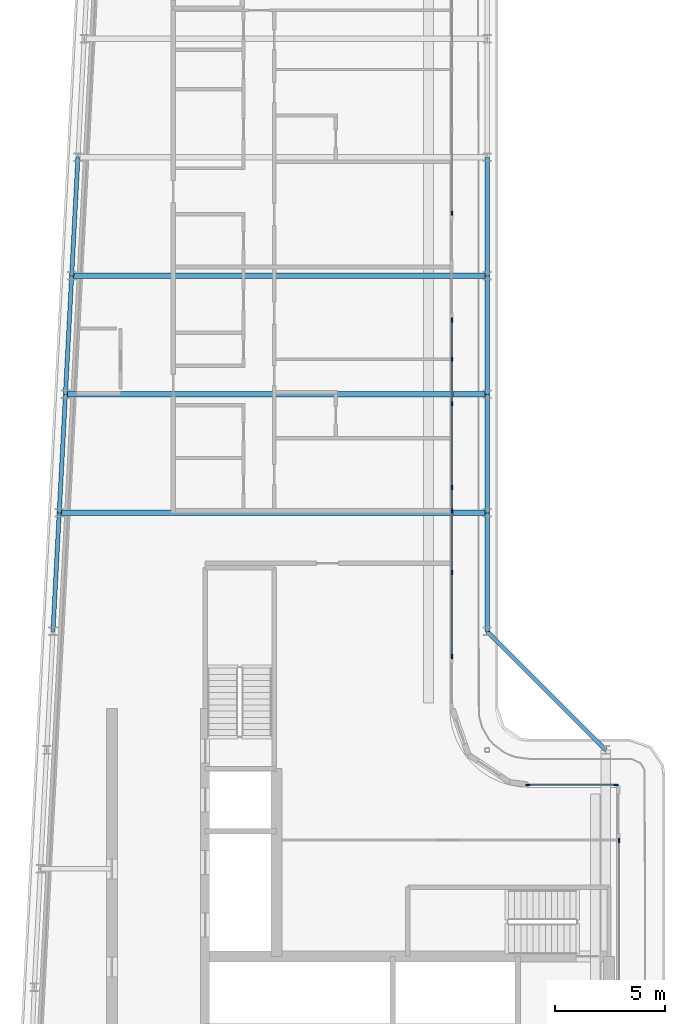
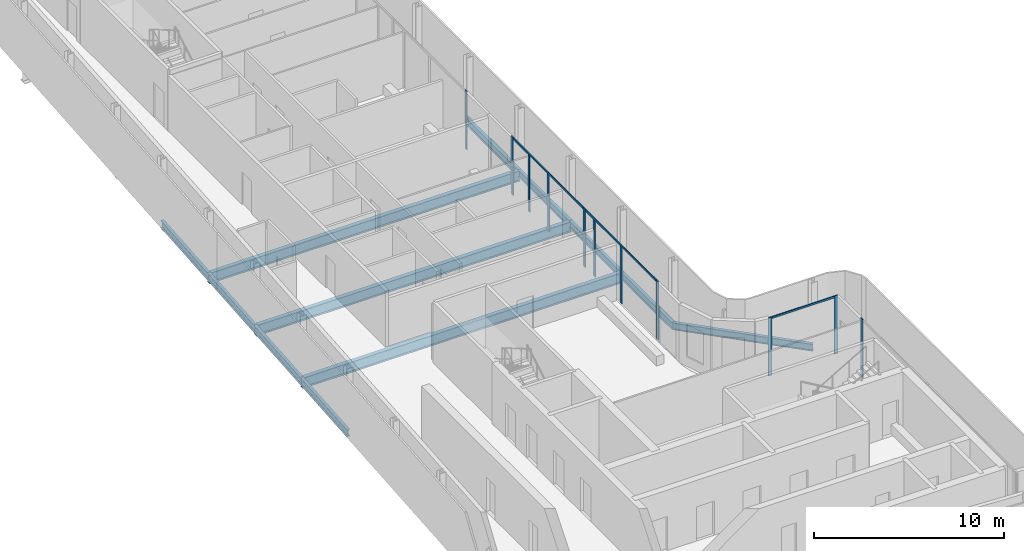
# One storey, part 5 of 18: 14 members, 12 beams, 5 elements without a shape of their own.
"""IFC4 building model written with IfcOpenShell, lengths in metres."""

from ifc_helpers import new_model, si_unit, direction, frame, origin, origin_2d, place, context, subcontext, project, spatial, rectangle, i_section, extrude, material, layer, layer_set, material_profile, profile_set, type_object, element, aggregate, save


model = new_model("IFC4")

# Units and contexts
model_context = context("Model", 3, precision=1e-05, world=origin(), true_north=direction((0.0, 1.0)))
body_context = subcontext(model_context, "Body", "Model", "MODEL_VIEW")
ifc_project = project(units=[si_unit("LENGTHUNIT", "METRE"), si_unit("AREAUNIT", "SQUARE_METRE"), si_unit("VOLUMEUNIT", "CUBIC_METRE"), si_unit("PLANEANGLEUNIT", "RADIAN"), si_unit("MASSUNIT", "GRAM", prefix="KILO")], contexts=[model_context])

# Site, building, storey
site_placement = place(None, origin())
site = spatial("IfcSite", under=ifc_project, at=site_placement, CompositionType="ELEMENT")
building_placement = place(site_placement, origin())
building = spatial("IfcBuilding", under=site, at=building_placement, Name="Kheshtan School and Residences Tower", CompositionType="ELEMENT")
storey_placement = place(building_placement, frame((0.0, 0.0, 369.5)))
storey = spatial("IfcBuildingStorey", under=building, at=storey_placement, Name="L87", CompositionType="ELEMENT", Elevation=369.5)

# Beams
ifc_material_1 = material(Name="Steel ASTM A992 Grade 50", Category="steel")
ifc_material_profile_1 = material_profile(ifc_material_1, i_section(OverallWidth=0.2529296875, OverallDepth=0.677978515625, WebThickness=0.01171875, FlangeThickness=0.016357421875, FilletRadius=0.0146484375, at=origin_2d()), Name="W690x125")
ifc_profile_set_1 = profile_set([ifc_material_profile_1], Name="Steel ASTM A992 Grade 50")
beam_type_1 = type_object("IfcBeamType", Name="Beam FB6 W690x125 ASTM A992 Grade 50", PredefinedType="BEAM", material=ifc_profile_set_1)
beam_1_placement = place(storey_placement, frame((47.60009765625, 67.199951171875, -0.489013671875), z_axis=(-1.0, 0.0, 0.0), x_axis=(0.0, -1.0, 0.0)))
element("IfcBeam", 1, at=beam_1_placement, inside=storey, type_object=beam_type_1, Name="Floor beam C085", PredefinedType="BEAM", context=body_context, shape_type="SweptSolid", body=[
    extrude(i_section(OverallWidth=0.2529296875, OverallDepth=0.677978515625, WebThickness=0.01171875, FlangeThickness=0.016357421875, FilletRadius=0.0146484375, at=origin_2d()), origin(), (0.0, 0.0, 1.0), 18.926025390625),
])
beam_2_placement = place(storey_placement, frame((47.60009765625, 56.39990234375, -0.489013671875), z_axis=(-1.0, 0.0, 0.0), x_axis=(0.0, -1.0, 0.0)))
element("IfcBeam", 2, at=beam_2_placement, inside=storey, type_object=beam_type_1, Name="Floor beam C081", PredefinedType="BEAM", context=body_context, shape_type="SweptSolid", body=[
    extrude(i_section(OverallWidth=0.2529296875, OverallDepth=0.677978515625, WebThickness=0.01171875, FlangeThickness=0.016357421875, FilletRadius=0.0146484375, at=origin_2d()), origin(), (0.0, 0.0, 1.0), 19.494140625),
])
beam_3_placement = place(storey_placement, frame((28.389892578125, 61.800048828125, -0.489013671875), z_axis=(1.0, 0.0, 0.0), x_axis=(0.0, 1.0, 0.0)))
element("IfcBeam", 3, at=beam_3_placement, inside=storey, type_object=beam_type_1, Name="Floor beam C082", PredefinedType="BEAM", context=body_context, shape_type="SweptSolid", body=[
    extrude(i_section(OverallWidth=0.2529296875, OverallDepth=0.677978515625, WebThickness=0.01171875, FlangeThickness=0.016357421875, FilletRadius=0.0146484375, at=origin_2d()), origin(), (0.0, 0.0, 1.0), 19.210205078125),
])
ifc_material_profile_2 = material_profile(ifc_material_1, i_section(OverallWidth=0.18994140625, OverallDepth=0.45703125, WebThickness=0.009033203125, FlangeThickness=0.014404296875, FilletRadius=0.01318359375, at=origin_2d()), Name="W460x74")
ifc_profile_set_2 = profile_set([ifc_material_profile_2], Name="Steel ASTM A992 Grade 50")
beam_type_2 = type_object("IfcBeamType", Name="Beam SP4 W460x74 ASTM A992 Grade 50", PredefinedType="BEAM", material=ifc_profile_set_2)
beam_4_placement = place(storey_placement, frame((47.60009765625, 72.60009765625, -0.37841796875), z_axis=(0.0, -1.0, 0.0), x_axis=(1.0, 0.0, 0.0)))
element("IfcBeam", 4, at=beam_4_placement, inside=storey, type_object=beam_type_2, Name="Spandrel beam C087-C085", PredefinedType="BEAM", context=body_context, shape_type="SweptSolid", body=[
    extrude(i_section(OverallWidth=0.18994140625, OverallDepth=0.45703125, WebThickness=0.009033203125, FlangeThickness=0.014404296875, FilletRadius=0.01318359375, at=origin_2d()), origin(), (0.0, 0.0, 1.0), 5.400146484375),
])
beam_5_placement = place(storey_placement, frame((47.60009765625, 67.199951171875, -0.37841796875), z_axis=(0.0, -1.0, 0.0), x_axis=(1.0, 0.0, 0.0)))
element("IfcBeam", 5, at=beam_5_placement, inside=storey, type_object=beam_type_2, Name="Spandrel beam C085-C083", PredefinedType="BEAM", context=body_context, shape_type="SweptSolid", body=[
    extrude(i_section(OverallWidth=0.18994140625, OverallDepth=0.45703125, WebThickness=0.009033203125, FlangeThickness=0.014404296875, FilletRadius=0.01318359375, at=origin_2d()), origin(), (0.0, 0.0, 1.0), 5.39990234375),
])
beam_6_placement = place(storey_placement, frame((47.60009765625, 61.800048828125, -0.37841796875), z_axis=(0.0, -1.0, 0.0), x_axis=(1.0, 0.0, 0.0)))
element("IfcBeam", 6, at=beam_6_placement, inside=storey, type_object=beam_type_2, Name="Spandrel beam C083-C081", PredefinedType="BEAM", context=body_context, shape_type="SweptSolid", body=[
    extrude(i_section(OverallWidth=0.18994140625, OverallDepth=0.45703125, WebThickness=0.009033203125, FlangeThickness=0.014404296875, FilletRadius=0.01318359375, at=origin_2d()), origin(), (0.0, 0.0, 1.0), 5.400146484375),
])
beam_7_placement = place(storey_placement, frame((47.60009765625, 56.39990234375, -0.37841796875), z_axis=(0.0, -1.0, 0.0), x_axis=(1.0, 0.0, 0.0)))
element("IfcBeam", 7, at=beam_7_placement, inside=storey, type_object=beam_type_2, Name="Spandrel beam C081-C079", PredefinedType="BEAM", context=body_context, shape_type="SweptSolid", body=[
    extrude(i_section(OverallWidth=0.18994140625, OverallDepth=0.45703125, WebThickness=0.009033203125, FlangeThickness=0.014404296875, FilletRadius=0.01318359375, at=origin_2d()), origin(), (0.0, 0.0, 1.0), 5.39990234375),
])
beam_8_placement = place(storey_placement, frame((47.60009765625, 51.0, -0.37841796875), z_axis=(0.707106781187, -0.707106781187, 0.0), x_axis=(0.707106781187, 0.707106781187, 0.0)))
element("IfcBeam", 8, at=beam_8_placement, inside=storey, type_object=beam_type_2, Name="Spandrel beam C079-C061", PredefinedType="BEAM", context=body_context, shape_type="SweptSolid", body=[
    extrude(i_section(OverallWidth=0.18994140625, OverallDepth=0.45703125, WebThickness=0.009033203125, FlangeThickness=0.014404296875, FilletRadius=0.01318359375, at=origin_2d()), origin(), (0.0, 0.0, 1.0), 7.63671875),
])
beam_9_placement = place(storey_placement, frame((27.822021484375, 51.0, -0.37841796875), z_axis=(0.05250906864, 0.998620447272, 0.0), x_axis=(-0.998620447272, 0.05250906864, 0.0)))
element("IfcBeam", 9, at=beam_9_placement, inside=storey, type_object=beam_type_2, Name="Spandrel beam C078-C080", PredefinedType="BEAM", context=body_context, shape_type="SweptSolid", body=[
    extrude(i_section(OverallWidth=0.18994140625, OverallDepth=0.45703125, WebThickness=0.009033203125, FlangeThickness=0.014404296875, FilletRadius=0.01318359375, at=origin_2d()), origin(), (0.0, 0.0, 1.0), 5.407470703125),
])
beam_10_placement = place(storey_placement, frame((28.10595703125, 56.39990234375, -0.37841796875), z_axis=(0.05250670125, 0.998620571751, 0.0), x_axis=(-0.998620571751, 0.05250670125, 0.0)))
element("IfcBeam", 10, at=beam_10_placement, inside=storey, type_object=beam_type_2, Name="Spandrel beam C080-C082", PredefinedType="BEAM", context=body_context, shape_type="SweptSolid", body=[
    extrude(i_section(OverallWidth=0.18994140625, OverallDepth=0.45703125, WebThickness=0.009033203125, FlangeThickness=0.014404296875, FilletRadius=0.01318359375, at=origin_2d()), origin(), (0.0, 0.0, 1.0), 5.40771484375),
])
beam_11_placement = place(storey_placement, frame((28.389892578125, 61.800048828125, -0.37841796875), z_axis=(0.052554093665, 0.998618078766, 0.0), x_axis=(-0.998618078766, 0.052554093665, 0.0)))
element("IfcBeam", 11, at=beam_11_placement, inside=storey, type_object=beam_type_2, Name="Spandrel beam C082-C084", PredefinedType="BEAM", context=body_context, shape_type="SweptSolid", body=[
    extrude(i_section(OverallWidth=0.18994140625, OverallDepth=0.45703125, WebThickness=0.009033203125, FlangeThickness=0.014404296875, FilletRadius=0.01318359375, at=origin_2d()), origin(), (0.0, 0.0, 1.0), 5.407470703125),
])
beam_12_placement = place(storey_placement, frame((28.674072265625, 67.199951171875, -0.37841796875), z_axis=(0.05250670125, 0.998620571751, 0.0), x_axis=(-0.998620571751, 0.05250670125, 0.0)))
element("IfcBeam", 12, at=beam_12_placement, inside=storey, type_object=beam_type_2, Name="Spandrel beam C084-C086", PredefinedType="BEAM", context=body_context, shape_type="SweptSolid", body=[
    extrude(i_section(OverallWidth=0.18994140625, OverallDepth=0.45703125, WebThickness=0.009033203125, FlangeThickness=0.014404296875, FilletRadius=0.01318359375, at=origin_2d()), origin(), (0.0, 0.0, 1.0), 5.40771484375),
])

# Curtain wall, members
ifc_material_2 = material(Name="Clear low-e glass in thermally broken aluminium frame", Category="aluminium")
ifc_layer_1 = layer(ifc_material_2, 0.199951171875)
ifc_layer_set_1 = layer_set([ifc_layer_1], Name="Curtain wall CW-B")
curtain_wall_type_1 = type_object("IfcCurtainWallType", Name="Curtain wall CW-B", PredefinedType="NOTDEFINED", material=ifc_layer_set_1)
curtain_wall_1_placement = place(storey_placement, origin())
curtain_wall_1 = element("IfcCurtainWall", 13, at=curtain_wall_1_placement, inside=storey, type_object=curtain_wall_type_1, Name="Curtain wall CWB12", PredefinedType="NOTDEFINED")
ifc_material_3 = material(Name="Thermally broken aluminium, dark bronze anodised", Category="aluminium")
ifc_material_profile_3 = material_profile(ifc_material_3, rectangle(XDim=0.06005859375, YDim=0.199951171875, at=origin_2d()), Name="CW-B mullion 60x200")
ifc_profile_set_3 = profile_set([ifc_material_profile_3], Name="Thermally broken aluminium, dark bronze anodised")
member_type_1 = type_object("IfcMemberType", Name="CW-B mullion 60x200", PredefinedType="MULLION", material=ifc_profile_set_3)
member_1_placement = place(storey_placement, frame((49.4599609375, 44.0, 0.0), z_axis=(0.0, 0.0, 1.0), x_axis=(0.0, 1.0, 0.0)))
member_1 = element("IfcMember", 14, at=member_1_placement, type_object=member_type_1, Name="CWB12 mullion 1", PredefinedType="MULLION", context=body_context, shape_type="SweptSolid", body=[
    extrude(rectangle(XDim=0.06005859375, YDim=0.199951171875, at=origin_2d()), origin(), (0.0, 0.0, 1.0), 3.75),
])
member_2_placement = place(storey_placement, frame((53.469970703125, 44.0, 0.0), z_axis=(0.0, 0.0, 1.0), x_axis=(0.0, 1.0, 0.0)))
member_2 = element("IfcMember", 15, at=member_2_placement, type_object=member_type_1, Name="CWB12 mullion 2", PredefinedType="MULLION", context=body_context, shape_type="SweptSolid", body=[
    extrude(rectangle(XDim=0.06005859375, YDim=0.199951171875, at=origin_2d()), origin(), (0.0, 0.0, 1.0), 3.75),
])
ifc_material_profile_4 = material_profile(ifc_material_3, rectangle(XDim=0.06005859375, YDim=0.1201171875, at=origin_2d()), Name="CW-B transom 60x120")
ifc_profile_set_4 = profile_set([ifc_material_profile_4], Name="Thermally broken aluminium, dark bronze anodised")
member_type_2 = type_object("IfcMemberType", Name="CW-B transom 60x120", PredefinedType="USERDEFINED", material=ifc_profile_set_4)
member_3_placement = place(storey_placement, frame((49.489990234375, 44.0, 3.68994140625), z_axis=(1.0, 0.0, 0.0), x_axis=(0.0, 1.0, 0.0)))
member_3 = element("IfcMember", 16, at=member_3_placement, type_object=member_type_2, Name="CWB12 transom 1", ObjectType="TRANSOM", PredefinedType="USERDEFINED", context=body_context, shape_type="SweptSolid", body=[
    extrude(rectangle(XDim=0.06005859375, YDim=0.1201171875, at=origin_2d()), origin(), (0.0, 0.0, 1.0), 3.949951171875),
])
aggregate(curtain_wall_1, [member_1, member_2, member_3])

# Curtain wall, member
ifc_layer_2 = layer(ifc_material_2, 0.199951171875)
ifc_layer_set_2 = layer_set([ifc_layer_2], Name="Curtain wall CW-L")
curtain_wall_type_2 = type_object("IfcCurtainWallType", Name="Curtain wall CW-L", PredefinedType="NOTDEFINED", material=ifc_layer_set_2)
curtain_wall_2_placement = place(storey_placement, origin())
curtain_wall_2 = element("IfcCurtainWall", 17, at=curtain_wall_2_placement, inside=storey, type_object=curtain_wall_type_2, Name="Curtain wall CWL8c", PredefinedType="NOTDEFINED")
ifc_material_profile_5 = material_profile(ifc_material_3, rectangle(XDim=0.06005859375, YDim=0.199951171875, at=origin_2d()), Name="CW-L mullion 60x200")
ifc_profile_set_5 = profile_set([ifc_material_profile_5], Name="Thermally broken aluminium, dark bronze anodised")
member_type_3 = type_object("IfcMemberType", Name="CW-L mullion 60x200", PredefinedType="MULLION", material=ifc_profile_set_5)
member_4_placement = place(storey_placement, frame((46.0, 70.048095703125, 0.0), z_axis=(0.0, 0.0, 1.0), x_axis=(1.0, 0.0, 0.0)))
member_4 = element("IfcMember", 18, at=member_4_placement, type_object=member_type_3, Name="CWL8c mullion 4", PredefinedType="MULLION", context=body_context, shape_type="SweptSolid", body=[
    extrude(rectangle(XDim=0.06005859375, YDim=0.199951171875, at=origin_2d()), origin(), (0.0, 0.0, 1.0), 3.75),
])
aggregate(curtain_wall_2, [member_4])

# Curtain wall, members
curtain_wall_3_placement = place(storey_placement, origin())
curtain_wall_3 = element("IfcCurtainWall", 19, at=curtain_wall_3_placement, inside=storey, type_object=curtain_wall_type_2, Name="Curtain wall CWL8c", PredefinedType="NOTDEFINED")
member_5_placement = place(storey_placement, frame((46.0, 65.18798828125, 0.0), z_axis=(0.0, 0.0, 1.0), x_axis=(1.0, 0.0, 0.0)))
member_5 = element("IfcMember", 20, at=member_5_placement, type_object=member_type_3, Name="CWL8c mullion 1", PredefinedType="MULLION", context=body_context, shape_type="SweptSolid", body=[
    extrude(rectangle(XDim=0.06005859375, YDim=0.199951171875, at=origin_2d()), origin(), (0.0, 0.0, 1.0), 3.75),
])
member_6_placement = place(storey_placement, frame((46.0, 63.39990234375, 0.0), z_axis=(0.0, 0.0, 1.0), x_axis=(1.0, 0.0, 0.0)))
member_6 = element("IfcMember", 21, at=member_6_placement, type_object=member_type_3, Name="CWL8c mullion 2", PredefinedType="MULLION", context=body_context, shape_type="SweptSolid", body=[
    extrude(rectangle(XDim=0.06005859375, YDim=0.199951171875, at=origin_2d()), origin(), (0.0, 0.0, 1.0), 3.6298828125),
])
member_7_placement = place(storey_placement, frame((46.0, 61.37109375, 0.0), z_axis=(0.0, 0.0, 1.0), x_axis=(1.0, 0.0, 0.0)))
member_7 = element("IfcMember", 22, at=member_7_placement, type_object=member_type_3, Name="CWL8c mullion 3", PredefinedType="MULLION", context=body_context, shape_type="SweptSolid", body=[
    extrude(rectangle(XDim=0.06005859375, YDim=0.199951171875, at=origin_2d()), origin(), (0.0, 0.0, 1.0), 3.6298828125),
])
member_8_placement = place(storey_placement, frame((46.0, 57.553955078125, 0.0), z_axis=(0.0, 0.0, 1.0), x_axis=(1.0, 0.0, 0.0)))
member_8 = element("IfcMember", 23, at=member_8_placement, type_object=member_type_3, Name="CWL8c mullion 4", PredefinedType="MULLION", context=body_context, shape_type="SweptSolid", body=[
    extrude(rectangle(XDim=0.06005859375, YDim=0.199951171875, at=origin_2d()), origin(), (0.0, 0.0, 1.0), 3.75),
])

curtain_wall_4_placement = place(storey_placement, origin())
curtain_wall_4 = element("IfcCurtainWall", 24, at=curtain_wall_4_placement, inside=storey, type_object=curtain_wall_type_2, Name="Curtain wall CWL8c", PredefinedType="NOTDEFINED")
member_9_placement = place(storey_placement, frame((46.0, 56.5, 0.0), z_axis=(0.0, 0.0, 1.0), x_axis=(1.0, 0.0, 0.0)))
member_9 = element("IfcMember", 25, at=member_9_placement, type_object=member_type_3, Name="CWL8c mullion 2", PredefinedType="MULLION", context=body_context, shape_type="SweptSolid", body=[
    extrude(rectangle(XDim=0.06005859375, YDim=0.199951171875, at=origin_2d()), origin(), (0.0, 0.0, 1.0), 3.6298828125),
])
member_10_placement = place(storey_placement, frame((46.0, 53.677001953125, 0.0), z_axis=(0.0, 0.0, 1.0), x_axis=(1.0, 0.0, 0.0)))
member_10 = element("IfcMember", 26, at=member_10_placement, type_object=member_type_3, Name="CWL8c mullion 3", PredefinedType="MULLION", context=body_context, shape_type="SweptSolid", body=[
    extrude(rectangle(XDim=0.06005859375, YDim=0.199951171875, at=origin_2d()), origin(), (0.0, 0.0, 1.0), 3.6298828125),
])
member_11_placement = place(storey_placement, frame((46.0, 49.860107421875, 0.0), z_axis=(0.0, 0.0, 1.0), x_axis=(1.0, 0.0, 0.0)))
member_11 = element("IfcMember", 27, at=member_11_placement, type_object=member_type_3, Name="CWL8c mullion 4", PredefinedType="MULLION", context=body_context, shape_type="SweptSolid", body=[
    extrude(rectangle(XDim=0.06005859375, YDim=0.199951171875, at=origin_2d()), origin(), (0.0, 0.0, 1.0), 3.75),
])

# Curtain wall, member
curtain_wall_5_placement = place(storey_placement, origin())
curtain_wall_5 = element("IfcCurtainWall", 28, at=curtain_wall_5_placement, inside=storey, type_object=curtain_wall_type_2, Name="Curtain wall CWL13h", PredefinedType="NOTDEFINED")
member_12_placement = place(storey_placement, frame((53.60009765625, 41.469970703125, 0.0), z_axis=(0.0, 0.0, 1.0), x_axis=(1.0, 0.0, 0.0)))
member_12 = element("IfcMember", 29, at=member_12_placement, type_object=member_type_3, Name="CWL13h mullion 1", PredefinedType="MULLION", context=body_context, shape_type="SweptSolid", body=[
    extrude(rectangle(XDim=0.06005859375, YDim=0.199951171875, at=origin_2d()), origin(), (0.0, 0.0, 1.0), 3.75),
])
aggregate(curtain_wall_5, [member_12])

# Member
ifc_material_profile_6 = material_profile(ifc_material_3, rectangle(XDim=0.06005859375, YDim=0.1201171875, at=origin_2d()), Name="CW-L transom 60x120")
ifc_profile_set_6 = profile_set([ifc_material_profile_6], Name="Thermally broken aluminium, dark bronze anodised")
member_type_4 = type_object("IfcMemberType", Name="CW-L transom 60x120", PredefinedType="USERDEFINED", material=ifc_profile_set_6)
member_13_placement = place(storey_placement, frame((46.0, 65.157958984375, 3.68994140625), z_axis=(0.0, -1.0, 0.0), x_axis=(1.0, 0.0, 0.0)))
member_13 = element("IfcMember", 30, at=member_13_placement, type_object=member_type_4, Name="CWL8c transom 1", ObjectType="TRANSOM", PredefinedType="USERDEFINED", context=body_context, shape_type="SweptSolid", body=[
    extrude(rectangle(XDim=0.06005859375, YDim=0.1201171875, at=origin_2d()), origin(), (0.0, 0.0, 1.0), 7.573974609375),
])

aggregate(curtain_wall_3, [member_5, member_6, member_7, member_8, member_13])

member_14_placement = place(storey_placement, frame((46.0, 57.52392578125, 3.68994140625), z_axis=(0.0, -1.0, 0.0), x_axis=(1.0, 0.0, 0.0)))
member_14 = element("IfcMember", 31, at=member_14_placement, type_object=member_type_4, Name="CWL8c transom 1", ObjectType="TRANSOM", PredefinedType="USERDEFINED", context=body_context, shape_type="SweptSolid", body=[
    extrude(rectangle(XDim=0.06005859375, YDim=0.1201171875, at=origin_2d()), origin(), (0.0, 0.0, 1.0), 7.634033203125),
])

aggregate(curtain_wall_4, [member_9, member_10, member_11, member_14])

save(model, "model.ifc")
